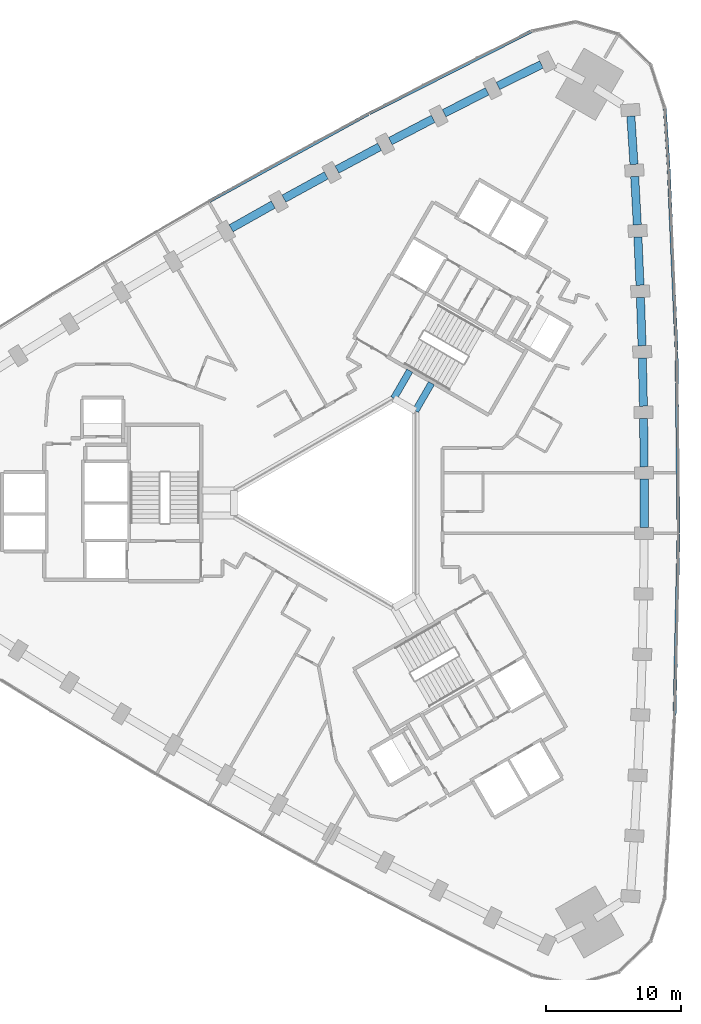
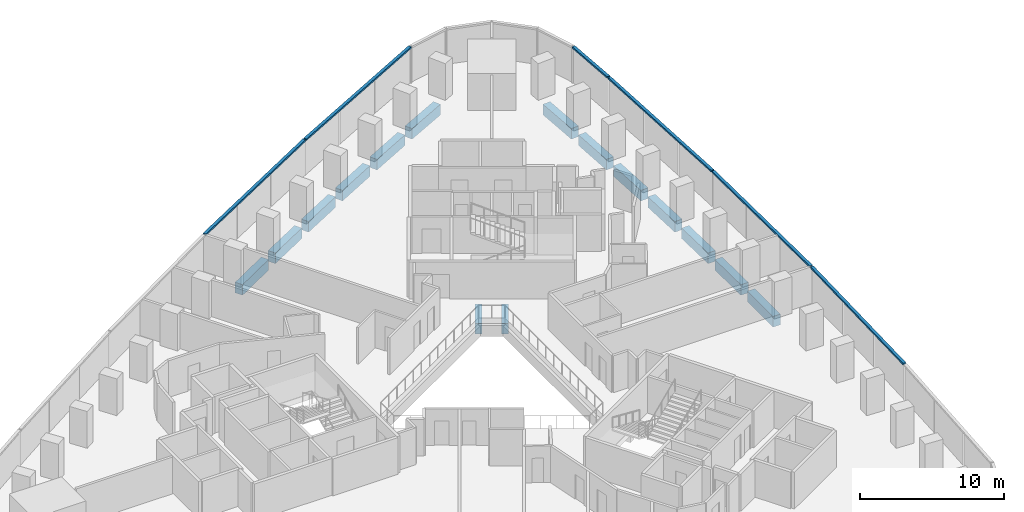
# One storey, part 5 of 13: 15 beams, 6 members, 2 elements without a shape of their own.
"""IFC4 building model written with IfcOpenShell, lengths in metres."""

from ifc_helpers import new_model, si_unit, direction, frame, origin, origin_2d, place, context, subcontext, project, spatial, rectangle, extrude, material, material_profile, profile_set, type_object, element, aggregate, save


model = new_model("IFC4")

# Units and contexts
model_context = context("Model", 3, precision=1e-05, world=origin(), true_north=direction((0.0, 1.0)))
body_context = subcontext(model_context, "Body", "Model", "MODEL_VIEW")
ifc_project = project(units=[si_unit("LENGTHUNIT", "METRE"), si_unit("AREAUNIT", "SQUARE_METRE"), si_unit("VOLUMEUNIT", "CUBIC_METRE"), si_unit("PLANEANGLEUNIT", "RADIAN"), si_unit("MASSUNIT", "GRAM", prefix="KILO")], contexts=[model_context])

# Site, building, storey
site_placement = place(None, origin())
site = spatial("IfcSite", under=ifc_project, at=site_placement, CompositionType="ELEMENT")
building_placement = place(site_placement, origin())
building = spatial("IfcBuilding", under=site, at=building_placement, Name="Tamra Quay Hotel Tower", CompositionType="ELEMENT")
storey_placement = place(building_placement, frame((0.0, 0.0, 49.39990234375)))
storey = spatial("IfcBuildingStorey", under=building, at=storey_placement, Name="L10", CompositionType="ELEMENT", Elevation=49.39990234375)

# Beams
ifc_material_1 = material(Name="Concrete M60", Category="concrete")
ifc_material_profile_1 = material_profile(ifc_material_1, rectangle(XDim=0.5, YDim=0.89990234375, at=origin_2d()), Name="ATRIUM TIE BEAM RC 500x900")
ifc_profile_set_1 = profile_set([ifc_material_profile_1], Name="Concrete M60")
beam_type_1 = type_object("IfcBeamType", Name="ATRIUM TIE BEAM RC 500x900", PredefinedType="BEAM", material=ifc_profile_set_1)
for number, where, z_axis, x_axis, name in (
    (1, (5.0, 6.812744140625, -0.9248046875), (0.500029618126, 0.866008303076, 0.0), (-0.866008303076, 0.500029618126, 0.0), "BM-TIE-0-L10"),
    (2, (3.39990234375, 7.736572265625, -0.9248046875), (0.500029618126, 0.866008303076, 0.0), (-0.866008303076, 0.500029618126, 0.0), "BM-TIE-5-L10"),
):
    element("IfcBeam", number, at=place(storey_placement, frame(where, z_axis=z_axis, x_axis=x_axis)), inside=storey, type_object=beam_type_1, Name=name, PredefinedType="BEAM", context=body_context, shape_type="SweptSolid", body=[
        extrude(rectangle(XDim=0.5, YDim=0.89990234375, at=origin_2d()), origin(), (0.0, 0.0, 1.0), 2.362060546875),
    ])
ifc_material_profile_2 = material_profile(ifc_material_1, rectangle(XDim=0.60009765625, YDim=0.89990234375, at=origin_2d()), Name="SPANDREL BEAM RC 600x900")
ifc_profile_set_2 = profile_set([ifc_material_profile_2], Name="Concrete M60")
beam_type_2 = type_object("IfcBeamType", Name="SPANDREL BEAM RC 600x900", PredefinedType="SPANDREL", material=ifc_profile_set_2)
beam_1_placement = place(storey_placement, frame((21.894287109375, -1.785400390625, -0.9248046875), z_axis=(0.0, 1.0, 0.0), x_axis=(-1.0, 0.0, 0.0)))
element("IfcBeam", 3, at=beam_1_placement, inside=storey, type_object=beam_type_2, Name="BM-SP1-006-L10", PredefinedType="SPANDREL", context=body_context, shape_type="SweptSolid", body=[
    extrude(rectangle(XDim=0.60009765625, YDim=0.89990234375, at=origin_2d()), origin(), (0.0, 0.0, 1.0), 3.57080078125),
])
beam_2_placement = place(storey_placement, frame((21.889404296875, 2.685302734375, -0.9248046875), z_axis=(-0.010803527021, 0.999941640199, 0.0), x_axis=(-0.999941640199, -0.010803527021, 0.0)))
element("IfcBeam", 4, at=beam_2_placement, inside=storey, type_object=beam_type_2, Name="BM-SP1-007-L10", PredefinedType="SPANDREL", context=body_context, shape_type="SweptSolid", body=[
    extrude(rectangle(XDim=0.60009765625, YDim=0.89990234375, at=origin_2d()), origin(), (0.0, 0.0, 1.0), 3.570556640625),
])
beam_3_placement = place(storey_placement, frame((21.836181640625, 7.155517578125, -0.9248046875), z_axis=(-0.021679013576, 0.999764982569, 0.0), x_axis=(-0.999764982569, -0.021679013576, 0.0)))
element("IfcBeam", 5, at=beam_3_placement, inside=storey, type_object=beam_type_2, Name="BM-SP1-008-L10", PredefinedType="SPANDREL", context=body_context, shape_type="SweptSolid", body=[
    extrude(rectangle(XDim=0.60009765625, YDim=0.89990234375, at=origin_2d()), origin(), (0.0, 0.0, 1.0), 3.56982421875),
])
for number, where, z_axis, x_axis, name in (
    (6, (21.734619140625, 11.624267578125, -0.9248046875), (-0.032547568535, 0.999470187541, 0.0), (-0.999470187541, -0.032547568535, 0.0), "BM-SP1-009-L10"),
    (7, (21.58447265625, 16.09228515625, -0.9248046875), (-0.043282922957, 0.99906285517, 0.0), (-0.99906285517, -0.043282922957, 0.0), "BM-SP1-010-L10"),
):
    element("IfcBeam", number, at=place(storey_placement, frame(where, z_axis=z_axis, x_axis=x_axis)), inside=storey, type_object=beam_type_2, Name=name, PredefinedType="SPANDREL", context=body_context, shape_type="SweptSolid", body=[
        extrude(rectangle(XDim=0.60009765625, YDim=0.89990234375, at=origin_2d()), origin(), (0.0, 0.0, 1.0), 3.570556640625),
    ])
beam_4_placement = place(storey_placement, frame((21.385986328125, 20.558349609375, -0.9248046875), z_axis=(-0.054026860576, 0.998539482613, 0.0), x_axis=(-0.998539482613, -0.054026860576, 0.0)))
element("IfcBeam", 8, at=beam_4_placement, inside=storey, type_object=beam_type_2, Name="BM-SP1-011-L10", PredefinedType="SPANDREL", context=body_context, shape_type="SweptSolid", body=[
    extrude(rectangle(XDim=0.60009765625, YDim=0.89990234375, at=origin_2d()), origin(), (0.0, 0.0, 1.0), 3.56982421875),
])
for number, where, z_axis, x_axis, name in (
    (9, (21.139404296875, 25.021484375, -0.9248046875), (-0.064749077985, 0.99790157676, 0.0), (-0.99790157676, -0.064749077985, 0.0), "BM-SP1-012-L10"),
    (10, (14.301025390625, 32.3994140625, -0.9248046875), (-0.896604328032, -0.442832563113, 0.0), (0.442832563113, -0.896604328032, 0.0), "BM-SP1-015-L10"),
):
    element("IfcBeam", number, at=place(storey_placement, frame(where, z_axis=z_axis, x_axis=x_axis)), inside=storey, type_object=beam_type_2, Name=name, PredefinedType="SPANDREL", context=body_context, shape_type="SweptSolid", body=[
        extrude(rectangle(XDim=0.60009765625, YDim=0.89990234375, at=origin_2d()), origin(), (0.0, 0.0, 1.0), 3.57080078125),
    ])
beam_5_placement = place(storey_placement, frame((10.294677734375, 30.415283203125, -0.9248046875), z_axis=(-0.891785652583, -0.452458119439, 0.0), x_axis=(0.452458119439, -0.891785652583, 0.0)))
element("IfcBeam", 11, at=beam_5_placement, inside=storey, type_object=beam_type_2, Name="BM-SP1-016-L10", PredefinedType="SPANDREL", context=body_context, shape_type="SweptSolid", body=[
    extrude(rectangle(XDim=0.60009765625, YDim=0.89990234375, at=origin_2d()), origin(), (0.0, 0.0, 1.0), 3.56982421875),
])
beam_6_placement = place(storey_placement, frame((6.310546875, 28.388427734375, -0.9248046875), z_axis=(-0.886863886749, -0.462030785101, 0.0), x_axis=(0.462030785101, -0.886863886749, 0.0)))
element("IfcBeam", 12, at=beam_6_placement, inside=storey, type_object=beam_type_2, Name="BM-SP1-017-L10", PredefinedType="SPANDREL", context=body_context, shape_type="SweptSolid", body=[
    extrude(rectangle(XDim=0.60009765625, YDim=0.89990234375, at=origin_2d()), origin(), (0.0, 0.0, 1.0), 3.570556640625),
])
beam_7_placement = place(storey_placement, frame((2.34814453125, 26.318603515625, -0.9248046875), z_axis=(-0.881809110934, -0.471606501094, 0.0), x_axis=(0.471606501094, -0.881809110934, 0.0)))
element("IfcBeam", 13, at=beam_7_placement, inside=storey, type_object=beam_type_2, Name="BM-SP1-018-L10", PredefinedType="SPANDREL", context=body_context, shape_type="SweptSolid", body=[
    extrude(rectangle(XDim=0.60009765625, YDim=0.89990234375, at=origin_2d()), origin(), (0.0, 0.0, 1.0), 3.5703125),
])
beam_8_placement = place(storey_placement, frame((-1.591796875, 24.2060546875, -0.9248046875), z_axis=(-0.876617015828, -0.481188744216, 0.0), x_axis=(0.481188744216, -0.876617015828, 0.0)))
element("IfcBeam", 14, at=beam_8_placement, inside=storey, type_object=beam_type_2, Name="BM-SP1-019-L10", PredefinedType="SPANDREL", context=body_context, shape_type="SweptSolid", body=[
    extrude(rectangle(XDim=0.60009765625, YDim=0.89990234375, at=origin_2d()), origin(), (0.0, 0.0, 1.0), 3.56982421875),
])
beam_9_placement = place(storey_placement, frame((-5.5078125, 22.051025390625, -0.9248046875), z_axis=(-0.871431243693, -0.49051767299, 0.0), x_axis=(0.49051767299, -0.871431243693, 0.0)))
element("IfcBeam", 15, at=beam_9_placement, inside=storey, type_object=beam_type_2, Name="BM-SP1-020-L10", PredefinedType="SPANDREL", context=body_context, shape_type="SweptSolid", body=[
    extrude(rectangle(XDim=0.60009765625, YDim=0.89990234375, at=origin_2d()), origin(), (0.0, 0.0, 1.0), 3.570556640625),
])

# Curtain wall, members
ifc_material_2 = material(Name="Aluminium 6063 anodised dark grey", Category="aluminium")
curtain_wall_type_1 = type_object("IfcCurtainWallType", Name="CW1 CURTAIN WALL", PredefinedType="NOTDEFINED", material=ifc_material_2)
curtain_wall_1_placement = place(storey_placement, origin())
curtain_wall_1 = element("IfcCurtainWall", 16, at=curtain_wall_1_placement, inside=storey, type_object=curtain_wall_type_1, Name="CW1 east face L10", PredefinedType="NOTDEFINED")
ifc_material_profile_3 = material_profile(ifc_material_2, rectangle(XDim=0.239990234375, YDim=0.139892578125, at=origin_2d()), Name="TRANSOM 240X140")
ifc_profile_set_3 = profile_set([ifc_material_profile_3], Name="Aluminium 6063 anodised dark grey")
member_type_1 = type_object("IfcMemberType", Name="TRANSOM CW1 Z1", PredefinedType="USERDEFINED", material=ifc_profile_set_3)
member_1_placement = place(storey_placement, frame((24.139404296875, -15.6884765625, 3.05517578125), z_axis=(0.02165596486, 0.999765482094, 0.0), x_axis=(-0.999765482094, 0.02165596486, 0.0)))
member_1 = element("IfcMember", 17, at=member_1_placement, type_object=member_type_1, Name="CW1 transom L10.E.4", ObjectType="TRANSOM", PredefinedType="USERDEFINED", context=body_context, shape_type="SweptSolid", body=[
    extrude(rectangle(XDim=0.239990234375, YDim=0.139892578125, at=origin_2d()), origin(), (0.0, 0.0, 1.0), 13.39306640625),
])
member_2_placement = place(storey_placement, frame((24.43017578125, -2.19873046875, 3.05517578125), z_axis=(-0.010846139849, 0.999941178895, 0.0), x_axis=(-0.999941178895, -0.010846139849, 0.0)))
member_2 = element("IfcMember", 18, at=member_2_placement, type_object=member_type_1, Name="CW1 transom L10.E.7", ObjectType="TRANSOM", PredefinedType="USERDEFINED", context=body_context, shape_type="SweptSolid", body=[
    extrude(rectangle(XDim=0.239990234375, YDim=0.139892578125, at=origin_2d()), origin(), (0.0, 0.0, 1.0), 13.39306640625),
])
member_3_placement = place(storey_placement, frame((24.2822265625, 11.29345703125, 3.05517578125), z_axis=(-0.043275844727, 0.999063161799, 0.0), x_axis=(-0.999063161799, -0.043275844727, 0.0)))
member_3 = element("IfcMember", 19, at=member_3_placement, type_object=member_type_1, Name="CW1 transom L10.E.10", ObjectType="TRANSOM", PredefinedType="USERDEFINED", context=body_context, shape_type="SweptSolid", body=[
    extrude(rectangle(XDim=0.239990234375, YDim=0.139892578125, at=origin_2d()), origin(), (0.0, 0.0, 1.0), 13.392822265625),
])
member_4_placement = place(storey_placement, frame((23.69677734375, 24.773681640625, 3.05517578125), z_axis=(-0.064805058394, 0.997897942881, 0.0), x_axis=(-0.997897942881, -0.064805058394, 0.0)))
member_4 = element("IfcMember", 20, at=member_4_placement, type_object=member_type_1, Name="CW1 transom L10.E.13", ObjectType="TRANSOM", PredefinedType="USERDEFINED", context=body_context, shape_type="SweptSolid", body=[
    extrude(rectangle(XDim=0.239990234375, YDim=0.139892578125, at=origin_2d()), origin(), (0.0, 0.0, 1.0), 4.396484375),
])
aggregate(curtain_wall_1, [member_1, member_2, member_3, member_4])

curtain_wall_type_2 = type_object("IfcCurtainWallType", Name="CW2 CURTAIN WALL", PredefinedType="NOTDEFINED", material=ifc_material_2)
curtain_wall_2_placement = place(storey_placement, origin())
curtain_wall_2 = element("IfcCurtainWall", 21, at=curtain_wall_2_placement, inside=storey, type_object=curtain_wall_type_2, Name="CW2 north-west face L10", PredefinedType="NOTDEFINED")
ifc_material_profile_4 = material_profile(ifc_material_2, rectangle(XDim=0.239990234375, YDim=0.139892578125, at=origin_2d()), Name="TRANSOM 240X140")
ifc_profile_set_4 = profile_set([ifc_material_profile_4], Name="Aluminium 6063 anodised dark grey")
member_type_2 = type_object("IfcMemberType", Name="TRANSOM CW2 Z1", PredefinedType="USERDEFINED", material=ifc_profile_set_4)
member_5_placement = place(storey_placement, frame((13.548095703125, 34.855712890625, 3.05517578125), z_axis=(-0.89178662734, -0.452456198208, 0.0), x_axis=(0.452456198208, -0.89178662734, 0.0)))
member_5 = element("IfcMember", 22, at=member_5_placement, type_object=member_type_2, Name="CW2 transom L10.NW.1", ObjectType="TRANSOM", PredefinedType="USERDEFINED", context=body_context, shape_type="SweptSolid", body=[
    extrude(rectangle(XDim=0.239990234375, YDim=0.139892578125, at=origin_2d()), origin(), (0.0, 0.0, 1.0), 13.39208984375),
])
member_6_placement = place(storey_placement, frame((1.516845703125, 28.749755859375, 3.05517578125), z_axis=(-0.876646998642, -0.481134118279, 0.0), x_axis=(0.481134118279, -0.876646998642, 0.0)))
member_6 = element("IfcMember", 23, at=member_6_placement, type_object=member_type_2, Name="CW2 transom L10.NW.4", ObjectType="TRANSOM", PredefinedType="USERDEFINED", context=body_context, shape_type="SweptSolid", body=[
    extrude(rectangle(XDim=0.239990234375, YDim=0.139892578125, at=origin_2d()), origin(), (0.0, 0.0, 1.0), 13.39306640625),
])
aggregate(curtain_wall_2, [member_5, member_6])

save(model, "model.ifc")
